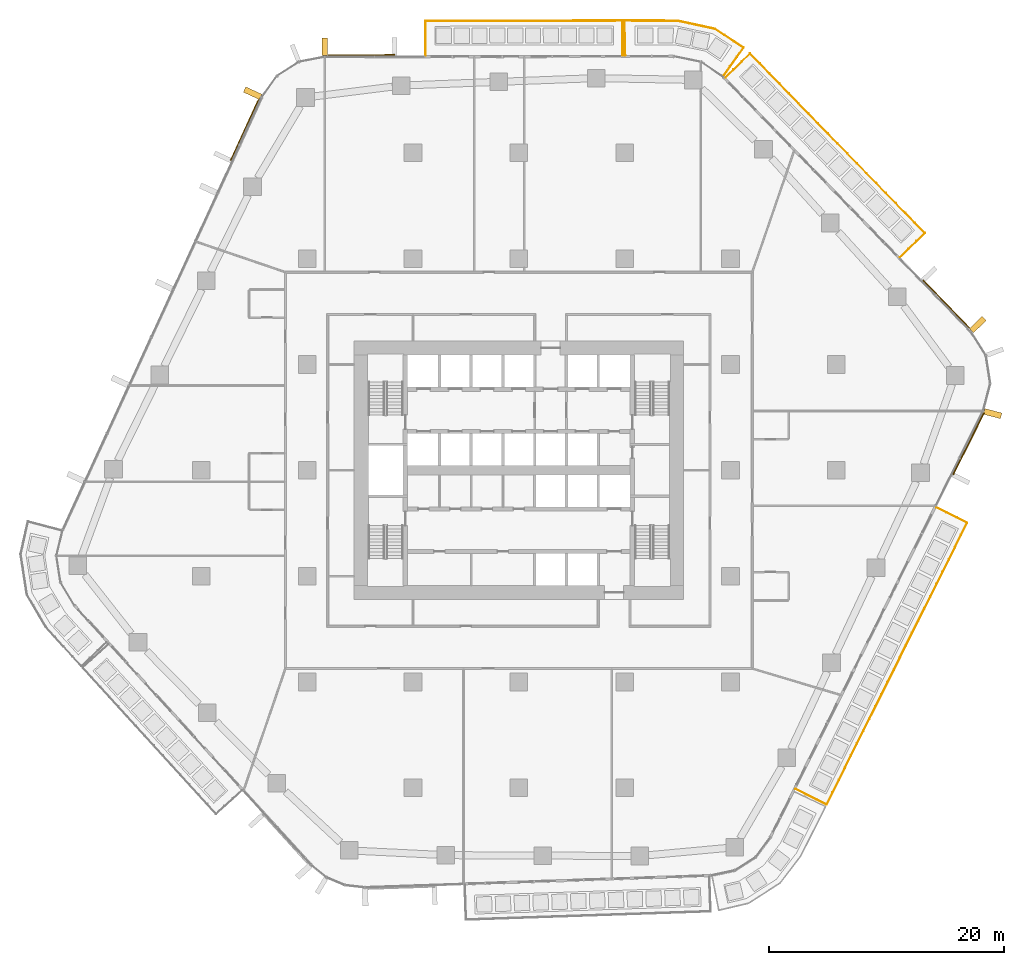
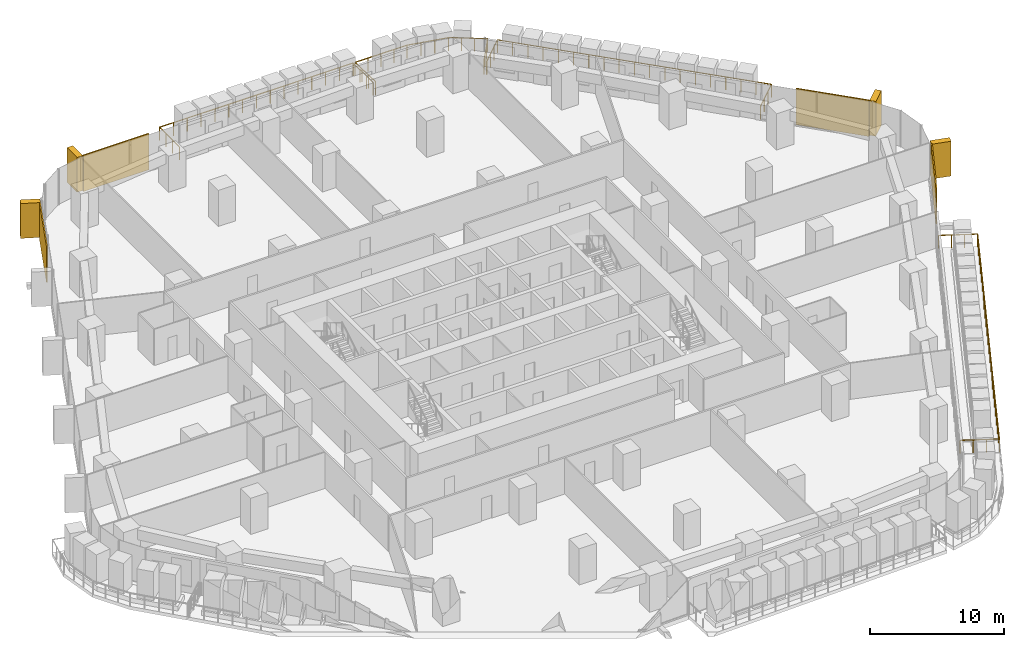
# One storey, part 26 of 26: 8 coverings, 4 railings, 5 elements without a shape of their own.
"""IFC4 building model written with IfcOpenShell, lengths in metres."""

from ifc_helpers import new_model, si_unit, direction, frame, origin, origin_2d, place, context, subcontext, project, spatial, rectangle, circle, extrude, material, layer, layer_set, material_profile, profile_set, type_object, element, aggregate, save


model = new_model("IFC4")

# Units and contexts
model_context = context("Model", 3, precision=1e-05, world=origin(), true_north=direction((0.0, 1.0)))
body_context = subcontext(model_context, "Body", "Model", "MODEL_VIEW")
ifc_project = project(units=[si_unit("LENGTHUNIT", "METRE"), si_unit("AREAUNIT", "SQUARE_METRE"), si_unit("VOLUMEUNIT", "CUBIC_METRE"), si_unit("PLANEANGLEUNIT", "RADIAN"), si_unit("MASSUNIT", "GRAM", prefix="KILO")], contexts=[model_context])

# Site, building, storey
site_placement = place(None, origin())
site = spatial("IfcSite", under=ifc_project, at=site_placement, CompositionType="ELEMENT")
building_placement = place(site_placement, origin())
building = spatial("IfcBuilding", under=site, at=building_placement, Name="Dongbaek Canopy Tower", CompositionType="ELEMENT")
storey_placement = place(building_placement, frame((0.0, 0.0, 69.89990234375)))
storey = spatial("IfcBuildingStorey", under=building, at=storey_placement, Name="L13", CompositionType="ELEMENT", Elevation=69.89990234375)

# Railings
ifc_material_1 = material(Name="Stainless steel", Category="steel")
railing_type = type_object("IfcRailingType", Name="Balcony balustrade 1200", PredefinedType="BALUSTRADE", material=ifc_material_1)
railing_1_placement = place(storey_placement, frame((32.41162109375, 18.11767578125, 0.0)))
element("IfcRailing", 1, at=railing_1_placement, inside=storey, type_object=railing_type, Name="Balcony guard L13 1", PredefinedType="BALUSTRADE", context=body_context, shape_type="SweptSolid", body=[
    extrude(circle(Radius=0.02392578125, at=origin_2d()), frame((0.0, 0.0, 1.17578125), z_axis=(0.717205859131, 0.696861360406, 0.0), x_axis=(-0.696861360406, 0.717205859131, 0.0)), (0.0, 0.0, 1.0), 2.940185546875),
    extrude(circle(Radius=0.02392578125, at=origin_2d()), frame((2.108642578125, 2.048828125, 1.17578125), z_axis=(-0.696881519823, 0.717186271013, 0.0), x_axis=(-0.717186271013, -0.696881519823, 0.0)), (0.0, 0.0, 1.0), 21.30615234375),
    extrude(circle(Radius=0.02392578125, at=origin_2d()), frame((-12.7392578125, 17.329345703125, 1.17578125), z_axis=(-0.717205859131, -0.696861360406, 0.0), x_axis=(0.696861360406, -0.717205859131, 0.0)), (0.0, 0.0, 1.0), 2.940185546875),
    extrude(circle(Radius=0.02099609375, at=origin_2d()), origin(), (0.0, 0.0, 1.0), 1.15185546875),
    extrude(circle(Radius=0.02099609375, at=origin_2d()), frame((0.702880859375, 0.682861328125, 0.0)), (0.0, 0.0, 1.0), 1.15185546875),
    extrude(circle(Radius=0.02099609375, at=origin_2d()), frame((1.40576171875, 1.365966796875, 0.0)), (0.0, 0.0, 1.0), 1.15185546875),
    extrude(circle(Radius=0.02099609375, at=origin_2d()), frame((2.108642578125, 2.048828125, 0.0)), (0.0, 0.0, 1.0), 1.15185546875),
    extrude(circle(Radius=0.02099609375, at=origin_2d()), frame((1.28369140625, 2.897705078125, 0.0)), (0.0, 0.0, 1.0), 1.15185546875),
    extrude(circle(Radius=0.02099609375, at=origin_2d()), frame((0.458984375, 3.74658203125, 0.0)), (0.0, 0.0, 1.0), 1.15185546875),
    extrude(circle(Radius=0.02099609375, at=origin_2d()), frame((-0.365966796875, 4.595703125, 0.0)), (0.0, 0.0, 1.0), 1.15185546875),
    extrude(circle(Radius=0.02099609375, at=origin_2d()), frame((-1.19091796875, 5.444580078125, 0.0)), (0.0, 0.0, 1.0), 1.15185546875),
    extrude(circle(Radius=0.02099609375, at=origin_2d()), frame((-2.015869140625, 6.29345703125, 0.0)), (0.0, 0.0, 1.0), 1.15185546875),
    extrude(circle(Radius=0.02099609375, at=origin_2d()), frame((-2.840576171875, 7.142333984375, 0.0)), (0.0, 0.0, 1.0), 1.15185546875),
    extrude(circle(Radius=0.02099609375, at=origin_2d()), frame((-3.66552734375, 7.9912109375, 0.0)), (0.0, 0.0, 1.0), 1.15185546875),
    extrude(circle(Radius=0.02099609375, at=origin_2d()), frame((-4.490478515625, 8.840087890625, 0.0)), (0.0, 0.0, 1.0), 1.15185546875),
    extrude(circle(Radius=0.02099609375, at=origin_2d()), frame((-5.3154296875, 9.68896484375, 0.0)), (0.0, 0.0, 1.0), 1.15185546875),
    extrude(circle(Radius=0.02099609375, at=origin_2d()), frame((-6.14013671875, 10.5380859375, 0.0)), (0.0, 0.0, 1.0), 1.15185546875),
    extrude(circle(Radius=0.02099609375, at=origin_2d()), frame((-6.965087890625, 11.386962890625, 0.0)), (0.0, 0.0, 1.0), 1.15185546875),
    extrude(circle(Radius=0.02099609375, at=origin_2d()), frame((-7.7900390625, 12.23583984375, 0.0)), (0.0, 0.0, 1.0), 1.15185546875),
    extrude(circle(Radius=0.02099609375, at=origin_2d()), frame((-8.61474609375, 13.084716796875, 0.0)), (0.0, 0.0, 1.0), 1.15185546875),
    extrude(circle(Radius=0.02099609375, at=origin_2d()), frame((-9.439697265625, 13.93359375, 0.0)), (0.0, 0.0, 1.0), 1.15185546875),
    extrude(circle(Radius=0.02099609375, at=origin_2d()), frame((-10.2646484375, 14.78271484375, 0.0)), (0.0, 0.0, 1.0), 1.15185546875),
    extrude(circle(Radius=0.02099609375, at=origin_2d()), frame((-11.089599609375, 15.631591796875, 0.0)), (0.0, 0.0, 1.0), 1.15185546875),
    extrude(circle(Radius=0.02099609375, at=origin_2d()), frame((-11.914306640625, 16.48046875, 0.0)), (0.0, 0.0, 1.0), 1.15185546875),
    extrude(circle(Radius=0.02099609375, at=origin_2d()), frame((-12.7392578125, 17.329345703125, 0.0)), (0.0, 0.0, 1.0), 1.15185546875),
    extrude(circle(Radius=0.02099609375, at=origin_2d()), frame((-13.442138671875, 16.646484375, 0.0)), (0.0, 0.0, 1.0), 1.15185546875),
    extrude(circle(Radius=0.02099609375, at=origin_2d()), frame((-14.14501953125, 15.96337890625, 0.0)), (0.0, 0.0, 1.0), 1.15185546875),
    extrude(circle(Radius=0.02099609375, at=origin_2d()), frame((-14.847900390625, 15.280517578125, 0.0)), (0.0, 0.0, 1.0), 1.15185546875),
])
railing_2_placement = place(storey_placement, frame((8.82421875, 35.28955078125, 0.0)))
element("IfcRailing", 2, at=railing_2_placement, inside=storey, type_object=railing_type, Name="Balcony guard L13 2", PredefinedType="BALUSTRADE", context=body_context, shape_type="SweptSolid", body=[
    extrude(circle(Radius=0.02392578125, at=origin_2d()), frame((0.0, 0.0, 1.17578125), z_axis=(-0.00141172422, 0.999999003517, 0.0), x_axis=(-0.999999003517, -0.00141172422, 0.0)), (0.0, 0.0, 1.0), 2.93994140625),
    extrude(circle(Radius=0.02392578125, at=origin_2d()), frame((-0.004150390625, 2.93994140625, 1.17578125), z_axis=(-0.999998979177, -0.001428861575, 0.0), x_axis=(0.001428861575, -0.999998979177, 0.0)), (0.0, 0.0, 1.0), 16.74462890625),
    extrude(circle(Radius=0.02392578125, at=origin_2d()), frame((-16.748779296875, 2.916015625, 1.17578125), z_axis=(0.001494642522, -0.999998883021, 0.0), x_axis=(0.999998883021, 0.001494642522, 0.0)), (0.0, 0.0, 1.0), 2.940185546875),
    extrude(circle(Radius=0.02099609375, at=origin_2d()), origin(), (0.0, 0.0, 1.0), 1.15185546875),
    extrude(circle(Radius=0.02099609375, at=origin_2d()), frame((-0.00146484375, 0.97998046875, 0.0)), (0.0, 0.0, 1.0), 1.15185546875),
    extrude(circle(Radius=0.02099609375, at=origin_2d()), frame((-0.002685546875, 1.9599609375, 0.0)), (0.0, 0.0, 1.0), 1.15185546875),
    extrude(circle(Radius=0.02099609375, at=origin_2d()), frame((-0.004150390625, 2.93994140625, 0.0)), (0.0, 0.0, 1.0), 1.15185546875),
    extrude(circle(Radius=0.02099609375, at=origin_2d()), frame((-1.2001953125, 2.938232421875, 0.0)), (0.0, 0.0, 1.0), 1.15185546875),
    extrude(circle(Radius=0.02099609375, at=origin_2d()), frame((-2.396240234375, 2.9365234375, 0.0)), (0.0, 0.0, 1.0), 1.15185546875),
    extrude(circle(Radius=0.02099609375, at=origin_2d()), frame((-3.59228515625, 2.934814453125, 0.0)), (0.0, 0.0, 1.0), 1.15185546875),
    extrude(circle(Radius=0.02099609375, at=origin_2d()), frame((-4.788330078125, 2.93310546875, 0.0)), (0.0, 0.0, 1.0), 1.15185546875),
    extrude(circle(Radius=0.02099609375, at=origin_2d()), frame((-5.984375, 2.931396484375, 0.0)), (0.0, 0.0, 1.0), 1.15185546875),
    extrude(circle(Radius=0.02099609375, at=origin_2d()), frame((-7.180419921875, 2.9296875, 0.0)), (0.0, 0.0, 1.0), 1.15185546875),
    extrude(circle(Radius=0.02099609375, at=origin_2d()), frame((-8.37646484375, 2.927978515625, 0.0)), (0.0, 0.0, 1.0), 1.15185546875),
    extrude(circle(Radius=0.02099609375, at=origin_2d()), frame((-9.572509765625, 2.92626953125, 0.0)), (0.0, 0.0, 1.0), 1.15185546875),
    extrude(circle(Radius=0.02099609375, at=origin_2d()), frame((-10.7685546875, 2.924560546875, 0.0)), (0.0, 0.0, 1.0), 1.15185546875),
    extrude(circle(Radius=0.02099609375, at=origin_2d()), frame((-11.964599609375, 2.9228515625, 0.0)), (0.0, 0.0, 1.0), 1.15185546875),
    extrude(circle(Radius=0.02099609375, at=origin_2d()), frame((-13.16064453125, 2.921142578125, 0.0)), (0.0, 0.0, 1.0), 1.15185546875),
    extrude(circle(Radius=0.02099609375, at=origin_2d()), frame((-14.356689453125, 2.91943359375, 0.0)), (0.0, 0.0, 1.0), 1.15185546875),
    extrude(circle(Radius=0.02099609375, at=origin_2d()), frame((-15.552734375, 2.917724609375, 0.0)), (0.0, 0.0, 1.0), 1.15185546875),
    extrude(circle(Radius=0.02099609375, at=origin_2d()), frame((-16.748779296875, 2.916015625, 0.0)), (0.0, 0.0, 1.0), 1.15185546875),
    extrude(circle(Radius=0.02099609375, at=origin_2d()), frame((-16.747314453125, 1.93603515625, 0.0)), (0.0, 0.0, 1.0), 1.15185546875),
    extrude(circle(Radius=0.02099609375, at=origin_2d()), frame((-16.745849609375, 0.955810546875, 0.0)), (0.0, 0.0, 1.0), 1.15185546875),
    extrude(circle(Radius=0.02099609375, at=origin_2d()), frame((-16.744384765625, -0.024169921875, 0.0)), (0.0, 0.0, 1.0), 1.15185546875),
])
railing_3_placement = place(storey_placement, frame((17.396240234375, 33.5390625, 0.0)))
element("IfcRailing", 3, at=railing_3_placement, inside=storey, type_object=railing_type, Name="Balcony guard L13 6", PredefinedType="BALUSTRADE", context=body_context, shape_type="SweptSolid", body=[
    extrude(circle(Radius=0.02392578125, at=origin_2d()), frame((0.0, 0.0, 1.17578125), z_axis=(0.580916151266, 0.813963405319, 0.0), x_axis=(-0.813963405319, 0.580916151266, 0.0)), (0.0, 0.0, 1.0), 2.940673828125),
    extrude(circle(Radius=0.02392578125, at=origin_2d()), frame((1.708251953125, 2.3935546875, 1.17578125), z_axis=(-0.836812141549, 0.547490127543, 0.0), x_axis=(-0.547490127543, -0.836812141549, 0.0)), (0.0, 0.0, 1.0), 2.923095703125),
    extrude(circle(Radius=0.02392578125, at=origin_2d()), frame((-0.73779296875, 3.993896484375, 1.17578125), z_axis=(-0.977539161475, 0.210753855914, 0.0), x_axis=(-0.210753855914, -0.977539161475, 0.0)), (0.0, 0.0, 1.0), 3.266845703125),
    extrude(circle(Radius=0.02392578125, at=origin_2d()), frame((-3.93115234375, 4.682373046875, 1.17578125), z_axis=(-0.99999828738, 0.001850739849, 0.0), x_axis=(-0.001850739849, -0.99999828738, 0.0)), (0.0, 0.0, 1.0), 4.485107421875),
    extrude(circle(Radius=0.02392578125, at=origin_2d()), frame((-8.416259765625, 4.690673828125, 1.17578125), z_axis=(0.021835018894, -0.999761587555, 0.0), x_axis=(0.999761587555, 0.021835018894, 0.0)), (0.0, 0.0, 1.0), 2.940673828125),
    extrude(circle(Radius=0.02099609375, at=origin_2d()), origin(), (0.0, 0.0, 1.0), 1.15185546875),
    extrude(circle(Radius=0.02099609375, at=origin_2d()), frame((0.5693359375, 0.7978515625, 0.0)), (0.0, 0.0, 1.0), 1.15185546875),
    extrude(circle(Radius=0.02099609375, at=origin_2d()), frame((1.138916015625, 1.595703125, 0.0)), (0.0, 0.0, 1.0), 1.15185546875),
    extrude(circle(Radius=0.02099609375, at=origin_2d()), frame((1.708251953125, 2.3935546875, 0.0)), (0.0, 0.0, 1.0), 1.15185546875),
    extrude(circle(Radius=0.02099609375, at=origin_2d()), frame((0.892822265625, 2.927001953125, 0.0)), (0.0, 0.0, 1.0), 1.15185546875),
    extrude(circle(Radius=0.02099609375, at=origin_2d()), frame((0.07763671875, 3.46044921875, 0.0)), (0.0, 0.0, 1.0), 1.15185546875),
    extrude(circle(Radius=0.02099609375, at=origin_2d()), frame((-0.73779296875, 3.993896484375, 0.0)), (0.0, 0.0, 1.0), 1.15185546875),
    extrude(circle(Radius=0.02099609375, at=origin_2d()), frame((-1.80224609375, 4.223388671875, 0.0)), (0.0, 0.0, 1.0), 1.15185546875),
    extrude(circle(Radius=0.02099609375, at=origin_2d()), frame((-2.86669921875, 4.452880859375, 0.0)), (0.0, 0.0, 1.0), 1.15185546875),
    extrude(circle(Radius=0.02099609375, at=origin_2d()), frame((-3.93115234375, 4.682373046875, 0.0)), (0.0, 0.0, 1.0), 1.15185546875),
    extrude(circle(Radius=0.02099609375, at=origin_2d()), frame((-5.052490234375, 4.6845703125, 0.0)), (0.0, 0.0, 1.0), 1.15185546875),
    extrude(circle(Radius=0.02099609375, at=origin_2d()), frame((-6.173828125, 4.6865234375, 0.0)), (0.0, 0.0, 1.0), 1.15185546875),
    extrude(circle(Radius=0.02099609375, at=origin_2d()), frame((-7.294921875, 4.6884765625, 0.0)), (0.0, 0.0, 1.0), 1.15185546875),
    extrude(circle(Radius=0.02099609375, at=origin_2d()), frame((-8.416259765625, 4.690673828125, 0.0)), (0.0, 0.0, 1.0), 1.15185546875),
    extrude(circle(Radius=0.02099609375, at=origin_2d()), frame((-8.394775390625, 3.710693359375, 0.0)), (0.0, 0.0, 1.0), 1.15185546875),
    extrude(circle(Radius=0.02099609375, at=origin_2d()), frame((-8.37353515625, 2.730712890625, 0.0)), (0.0, 0.0, 1.0), 1.15185546875),
    extrude(circle(Radius=0.02099609375, at=origin_2d()), frame((-8.35205078125, 1.750732421875, 0.0)), (0.0, 0.0, 1.0), 1.15185546875),
])
railing_4_placement = place(storey_placement, frame((23.53271484375, -27.111328125, 0.0)))
element("IfcRailing", 4, at=railing_4_placement, inside=storey, type_object=railing_type, Name="Balcony guard L13 5", PredefinedType="BALUSTRADE", context=body_context, shape_type="SweptSolid", body=[
    extrude(circle(Radius=0.02392578125, at=origin_2d()), frame((0.0, 0.0, 1.17578125), z_axis=(0.894825421688, -0.446416246009, 0.0), x_axis=(0.446416246009, 0.894825421688, 0.0)), (0.0, 0.0, 1.0), 2.940185546875),
    extrude(circle(Radius=0.02392578125, at=origin_2d()), frame((2.630859375, -1.3125, 1.17578125), z_axis=(0.446422098832, 0.89482250177, 0.0), x_axis=(-0.89482250177, 0.446422098832, 0.0)), (0.0, 0.0, 1.0), 26.77978515625),
    extrude(circle(Radius=0.02392578125, at=origin_2d()), frame((14.5859375, 22.650634765625, 1.17578125), z_axis=(-0.894825421688, 0.446416246009, 0.0), x_axis=(-0.446416246009, -0.894825421688, 0.0)), (0.0, 0.0, 1.0), 2.940185546875),
    extrude(circle(Radius=0.02099609375, at=origin_2d()), origin(), (0.0, 0.0, 1.0), 1.15185546875),
    extrude(circle(Radius=0.02099609375, at=origin_2d()), frame((0.876953125, -0.4375, 0.0)), (0.0, 0.0, 1.0), 1.15185546875),
    extrude(circle(Radius=0.02099609375, at=origin_2d()), frame((1.75390625, -0.875, 0.0)), (0.0, 0.0, 1.0), 1.15185546875),
    extrude(circle(Radius=0.02099609375, at=origin_2d()), frame((2.630859375, -1.3125, 0.0)), (0.0, 0.0, 1.0), 1.15185546875),
    extrude(circle(Radius=0.02099609375, at=origin_2d()), frame((3.150634765625, -0.2705078125, 0.0)), (0.0, 0.0, 1.0), 1.15185546875),
    extrude(circle(Radius=0.02099609375, at=origin_2d()), frame((3.67041015625, 0.771240234375, 0.0)), (0.0, 0.0, 1.0), 1.15185546875),
    extrude(circle(Radius=0.02099609375, at=origin_2d()), frame((4.190185546875, 1.813232421875, 0.0)), (0.0, 0.0, 1.0), 1.15185546875),
    extrude(circle(Radius=0.02099609375, at=origin_2d()), frame((4.7099609375, 2.85498046875, 0.0)), (0.0, 0.0, 1.0), 1.15185546875),
    extrude(circle(Radius=0.02099609375, at=origin_2d()), frame((5.229736328125, 3.89697265625, 0.0)), (0.0, 0.0, 1.0), 1.15185546875),
    extrude(circle(Radius=0.02099609375, at=origin_2d()), frame((5.74951171875, 4.938720703125, 0.0)), (0.0, 0.0, 1.0), 1.15185546875),
    extrude(circle(Radius=0.02099609375, at=origin_2d()), frame((6.269287109375, 5.980712890625, 0.0)), (0.0, 0.0, 1.0), 1.15185546875),
    extrude(circle(Radius=0.02099609375, at=origin_2d()), frame((6.7890625, 7.0224609375, 0.0)), (0.0, 0.0, 1.0), 1.15185546875),
    extrude(circle(Radius=0.02099609375, at=origin_2d()), frame((7.308837890625, 8.064453125, 0.0)), (0.0, 0.0, 1.0), 1.15185546875),
    extrude(circle(Radius=0.02099609375, at=origin_2d()), frame((7.82861328125, 9.106201171875, 0.0)), (0.0, 0.0, 1.0), 1.15185546875),
    extrude(circle(Radius=0.02099609375, at=origin_2d()), frame((8.348388671875, 10.148193359375, 0.0)), (0.0, 0.0, 1.0), 1.15185546875),
    extrude(circle(Radius=0.02099609375, at=origin_2d()), frame((8.868408203125, 11.18994140625, 0.0)), (0.0, 0.0, 1.0), 1.15185546875),
    extrude(circle(Radius=0.02099609375, at=origin_2d()), frame((9.38818359375, 12.23193359375, 0.0)), (0.0, 0.0, 1.0), 1.15185546875),
    extrude(circle(Radius=0.02099609375, at=origin_2d()), frame((9.907958984375, 13.273681640625, 0.0)), (0.0, 0.0, 1.0), 1.15185546875),
    extrude(circle(Radius=0.02099609375, at=origin_2d()), frame((10.427734375, 14.315673828125, 0.0)), (0.0, 0.0, 1.0), 1.15185546875),
    extrude(circle(Radius=0.02099609375, at=origin_2d()), frame((10.947509765625, 15.357421875, 0.0)), (0.0, 0.0, 1.0), 1.15185546875),
    extrude(circle(Radius=0.02099609375, at=origin_2d()), frame((11.46728515625, 16.3994140625, 0.0)), (0.0, 0.0, 1.0), 1.15185546875),
    extrude(circle(Radius=0.02099609375, at=origin_2d()), frame((11.987060546875, 17.441162109375, 0.0)), (0.0, 0.0, 1.0), 1.15185546875),
    extrude(circle(Radius=0.02099609375, at=origin_2d()), frame((12.5068359375, 18.483154296875, 0.0)), (0.0, 0.0, 1.0), 1.15185546875),
    extrude(circle(Radius=0.02099609375, at=origin_2d()), frame((13.026611328125, 19.52490234375, 0.0)), (0.0, 0.0, 1.0), 1.15185546875),
    extrude(circle(Radius=0.02099609375, at=origin_2d()), frame((13.54638671875, 20.56689453125, 0.0)), (0.0, 0.0, 1.0), 1.15185546875),
    extrude(circle(Radius=0.02099609375, at=origin_2d()), frame((14.066162109375, 21.608642578125, 0.0)), (0.0, 0.0, 1.0), 1.15185546875),
    extrude(circle(Radius=0.02099609375, at=origin_2d()), frame((14.5859375, 22.650634765625, 0.0)), (0.0, 0.0, 1.0), 1.15185546875),
    extrude(circle(Radius=0.02099609375, at=origin_2d()), frame((13.708984375, 23.088134765625, 0.0)), (0.0, 0.0, 1.0), 1.15185546875),
    extrude(circle(Radius=0.02099609375, at=origin_2d()), frame((12.83203125, 23.525634765625, 0.0)), (0.0, 0.0, 1.0), 1.15185546875),
    extrude(circle(Radius=0.02099609375, at=origin_2d()), frame((11.955078125, 23.963134765625, 0.0)), (0.0, 0.0, 1.0), 1.15185546875),
])

# Curtain wall, covering
ifc_material_2 = material(Name="Aluminium 6063-T6 pale anodised", Category="aluminium")
ifc_layer_1 = layer(ifc_material_2, 0.199951171875)
ifc_layer_set_1 = layer_set([ifc_layer_1], Name="CW-1 unitised tower curtain wall")
curtain_wall_type = type_object("IfcCurtainWallType", Name="CW-1 unitised tower curtain wall", PredefinedType="NOTDEFINED", material=ifc_layer_set_1)
curtain_wall_1_placement = place(storey_placement, origin())
curtain_wall_1 = element("IfcCurtainWall", 5, at=curtain_wall_1_placement, inside=storey, type_object=curtain_wall_type, Name="CW-1 curtain wall F5.1", PredefinedType="NOTDEFINED")
ifc_material_3 = material(Name="Perforated aluminium 6063-T6 pale metal screen", Category="aluminium")
ifc_layer_2 = layer(ifc_material_3, 0.10009765625)
ifc_layer_set_2 = layer_set([ifc_layer_2], Name="Facet screen FS1 100 pale metal")
covering_type_1 = type_object("IfcCoveringType", Name="Facet screen FS1 100 pale metal", PredefinedType="CLADDING", material=ifc_layer_set_2)
covering_1_placement = place(storey_placement, frame((38.2353515625, 2.255859375, 0.0), z_axis=(0.0, 0.0, 1.0), x_axis=(0.446421158793, 0.89482297075, 0.0)))
covering_1 = element("IfcCovering", 6, at=covering_1_placement, type_object=covering_type_1, Name="Facet screen L13 F5", PredefinedType="CLADDING", context=body_context, shape_type="SweptSolid", body=[
    extrude(rectangle(XDim=5.842041015625, YDim=0.10009765625, at=origin_2d()), origin(), (0.0, 0.0, 1.0), 3.300048828125),
])
aggregate(curtain_wall_1, [covering_1])

curtain_wall_2_placement = place(storey_placement, origin())
curtain_wall_2 = element("IfcCurtainWall", 7, at=curtain_wall_2_placement, inside=storey, type_object=curtain_wall_type, Name="CW-1 curtain wall F0.1", PredefinedType="NOTDEFINED")
covering_2_placement = place(storey_placement, frame((36.33740234375, 14.143310546875, 0.0), z_axis=(0.0, 0.0, 1.0), x_axis=(-0.696881015519, 0.717186761039, 0.0)))
covering_2 = element("IfcCovering", 8, at=covering_2_placement, type_object=covering_type_1, Name="Facet screen L13 F0", PredefinedType="CLADDING", context=body_context, shape_type="SweptSolid", body=[
    extrude(rectangle(XDim=5.66845703125, YDim=0.10009765625, at=origin_2d()), origin(), (0.0, 0.0, 1.0), 3.300048828125),
])

curtain_wall_3_placement = place(storey_placement, origin())
curtain_wall_3 = element("IfcCurtainWall", 9, at=curtain_wall_3_placement, inside=storey, type_object=curtain_wall_type, Name="CW-1 curtain wall F1.1", PredefinedType="NOTDEFINED")
covering_3_placement = place(storey_placement, frame((-13.37841796875, 35.3037109375, 0.0), z_axis=(0.0, 0.0, 1.0), x_axis=(-0.999998970875, -0.001434660153, 0.0)))
covering_3 = element("IfcCovering", 10, at=covering_3_placement, type_object=covering_type_1, Name="Facet screen L13 F1", PredefinedType="CLADDING", context=body_context, shape_type="SweptSolid", body=[
    extrude(rectangle(XDim=5.669189453125, YDim=0.10009765625, at=origin_2d()), origin(), (0.0, 0.0, 1.0), 3.300048828125),
])

curtain_wall_4_placement = place(storey_placement, origin())
curtain_wall_4 = element("IfcCurtainWall", 11, at=curtain_wall_4_placement, inside=storey, type_object=curtain_wall_type, Name="CW-1 curtain wall F2.1", PredefinedType="NOTDEFINED")
covering_4_placement = place(storey_placement, frame((-23.306396484375, 28.933349609375, 0.0), z_axis=(0.0, 0.0, 1.0), x_axis=(-0.418024046506, -0.908435961718, 0.0)))
covering_4 = element("IfcCovering", 12, at=covering_4_placement, type_object=covering_type_1, Name="Facet screen L13 F2", PredefinedType="CLADDING", context=body_context, shape_type="SweptSolid", body=[
    extrude(rectangle(XDim=5.669189453125, YDim=0.10009765625, at=origin_2d()), origin(), (0.0, 0.0, 1.0), 3.300048828125),
])

curtain_wall_5_placement = place(storey_placement, origin())
curtain_wall_5 = element("IfcCurtainWall", 13, at=curtain_wall_5_placement, inside=storey, type_object=curtain_wall_type, Name="CW-1 curtain wall K0.1", PredefinedType="NOTDEFINED")
ifc_material_4 = material(Name="Aluminium 6063-T6 pale metal fin", Category="aluminium")
ifc_material_profile = material_profile(ifc_material_4, rectangle(XDim=1.5, YDim=0.5, at=origin_2d()), Name="Fin FN1 500 x 1500 pale metal")
ifc_profile_set = profile_set([ifc_material_profile], Name="Aluminium 6063-T6 pale metal fin")
covering_type_2 = type_object("IfcCoveringType", Name="Fin FN1 500 x 1500 pale metal", PredefinedType="CLADDING", material=ifc_profile_set)
covering_5_placement = place(storey_placement, frame((40.28271484375, 4.82275390625, 0.1201171875), z_axis=(0.0, 0.0, 1.0), x_axis=(0.967124445532, -0.254303572242, 0.0)))
covering_5 = element("IfcCovering", 14, at=covering_5_placement, type_object=covering_type_2, Name="Fin K0.1.1", PredefinedType="CLADDING", context=body_context, shape_type="SweptSolid", body=[
    extrude(rectangle(XDim=1.5, YDim=0.5, at=origin_2d()), origin(), (0.0, 0.0, 1.0), 3.179931640625),
])
aggregate(curtain_wall_5, [covering_5])

# Covering
covering_6_placement = place(storey_placement, frame((39.01953125, 12.393310546875, 0.1201171875), z_axis=(0.0, 0.0, 1.0), x_axis=(0.717186200853, 0.696881592027, 0.0)))
covering_6 = element("IfcCovering", 15, at=covering_6_placement, type_object=covering_type_2, Name="Fin F0.1.1", PredefinedType="CLADDING", context=body_context, shape_type="SweptSolid", body=[
    extrude(rectangle(XDim=1.5, YDim=0.5, at=origin_2d()), origin(), (0.0, 0.0, 1.0), 3.179931640625),
])

aggregate(curtain_wall_2, [covering_6, covering_2])

covering_7_placement = place(storey_placement, frame((-16.504150390625, 36.003173828125, 0.1201171875), z_axis=(0.0, 0.0, 1.0), x_axis=(-0.00143427852, 0.999998971422, 0.0)))
covering_7 = element("IfcCovering", 16, at=covering_7_placement, type_object=covering_type_2, Name="Fin F1.1.3", PredefinedType="CLADDING", context=body_context, shape_type="SweptSolid", body=[
    extrude(rectangle(XDim=1.5, YDim=0.5, at=origin_2d()), origin(), (0.0, 0.0, 1.0), 3.179931640625),
])

aggregate(curtain_wall_3, [covering_7, covering_3])

covering_8_placement = place(storey_placement, frame((-22.639892578125, 32.066162109375, 0.1201171875), z_axis=(0.0, 0.0, 1.0), x_axis=(-0.908435687115, 0.418024643264, 0.0)))
covering_8 = element("IfcCovering", 17, at=covering_8_placement, type_object=covering_type_2, Name="Fin F2.1.1", PredefinedType="CLADDING", context=body_context, shape_type="SweptSolid", body=[
    extrude(rectangle(XDim=1.5, YDim=0.5, at=origin_2d()), origin(), (0.0, 0.0, 1.0), 3.179931640625),
])

aggregate(curtain_wall_4, [covering_8, covering_4])

save(model, "model.ifc")
